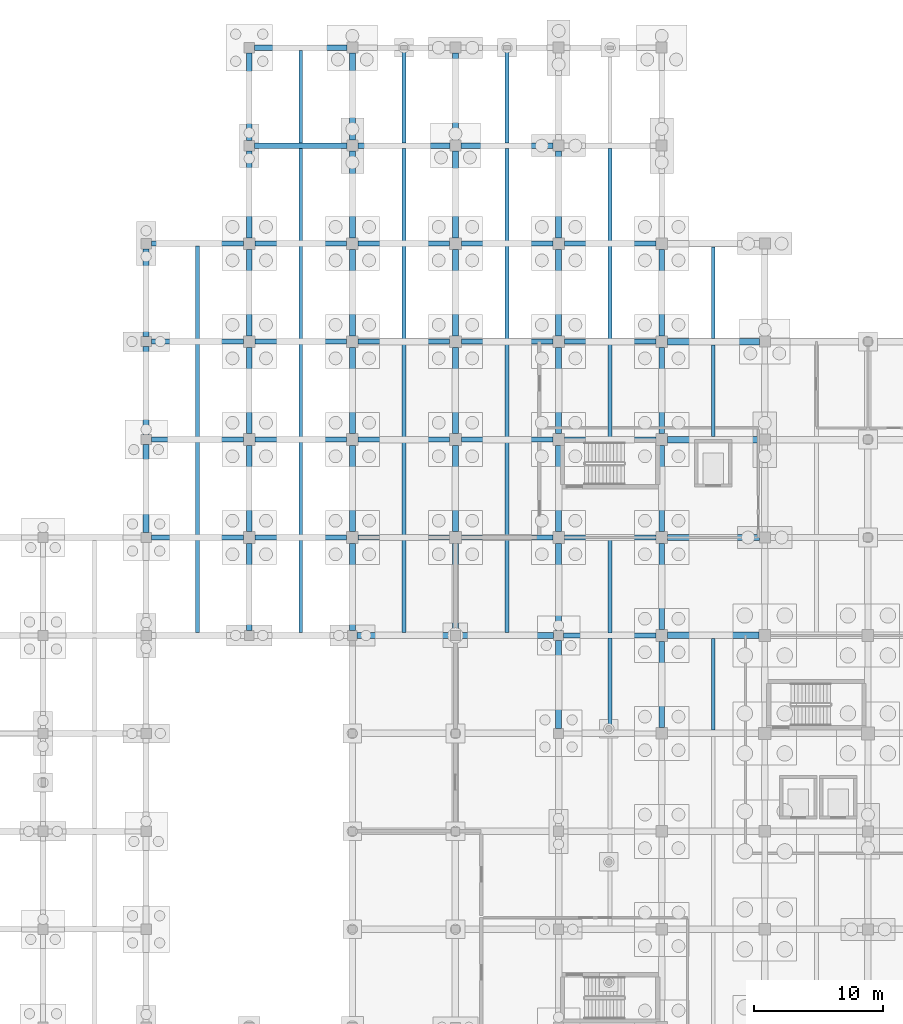
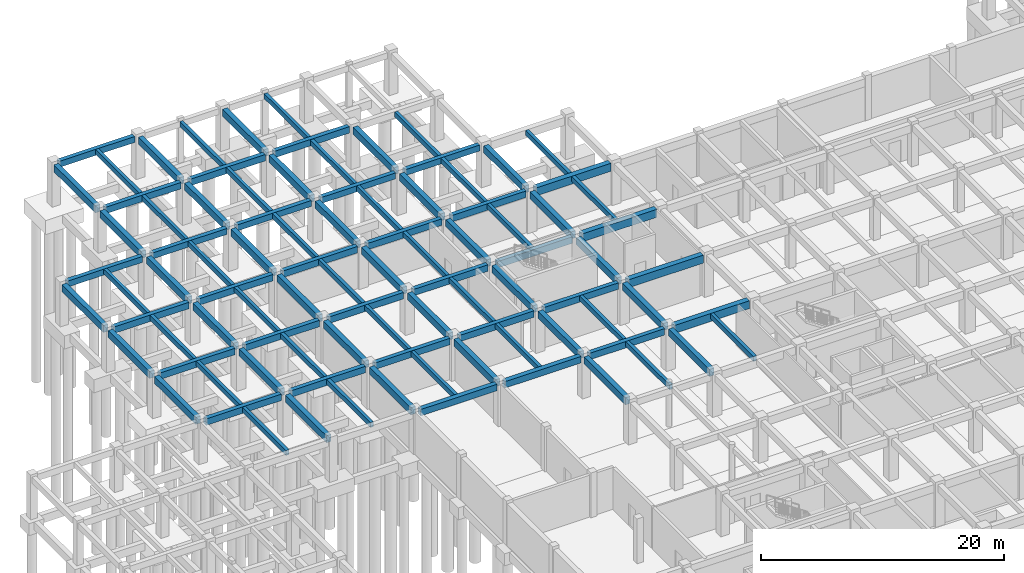
# One storey, part 29 of 49: 93 beams.
"""IFC4 building model written with IfcOpenShell, lengths in metres."""

from ifc_helpers import new_model, si_unit, direction, frame, origin, origin_2d, place, context, subcontext, project, spatial, rectangle, extrude, material, material_profile, profile_set, type_object, element, save


model = new_model("IFC4")

# Units and contexts
model_context = context("Model", 3, precision=1e-05, world=origin(), true_north=direction((0.0, 1.0)))
body_context = subcontext(model_context, "Body", "Model", "MODEL_VIEW")
ifc_project = project(units=[si_unit("LENGTHUNIT", "METRE"), si_unit("AREAUNIT", "SQUARE_METRE"), si_unit("VOLUMEUNIT", "CUBIC_METRE"), si_unit("PLANEANGLEUNIT", "RADIAN"), si_unit("MASSUNIT", "GRAM", prefix="KILO")], contexts=[model_context])

# Site, building, storey
site_placement = place(None, origin())
site = spatial("IfcSite", under=ifc_project, at=site_placement, CompositionType="ELEMENT")
building_placement = place(site_placement, origin())
building = spatial("IfcBuilding", under=site, at=building_placement, Name="Zantavel Square City Hall", CompositionType="ELEMENT")
storey_placement = place(building_placement, frame((0.0, 0.0, -4.5)))
storey = spatial("IfcBuildingStorey", under=building, at=storey_placement, Name="B1", CompositionType="ELEMENT", Elevation=-4.5)

# Beams
ifc_material = material(Name="Concrete C35/45", Category="concrete")
ifc_material_profile_1 = material_profile(ifc_material, rectangle(XDim=0.449951171875, YDim=0.64990234375, at=origin_2d()), Name="RC 450x650")
ifc_profile_set_1 = profile_set([ifc_material_profile_1], Name="Concrete C35/45")
beam_type_1 = type_object("IfcBeamType", Name="Courtyard Cloister Girder RC 450x650 C35/45", PredefinedType="BEAM", material=ifc_profile_set_1)
beam_1_placement = place(storey_placement, frame((32.375, 68.39990234375, 3.85498046875), z_axis=(1.0, 0.0, 0.0), x_axis=(0.0, 1.0, 0.0)))
element("IfcBeam", 1, at=beam_1_placement, inside=storey, type_object=beam_type_1, Name="B1 Girder BMX-B1-0320-0684", PredefinedType="BEAM", context=body_context, shape_type="SweptSolid", body=[
    extrude(rectangle(XDim=0.449951171875, YDim=0.64990234375, at=origin_2d()), origin(), (0.0, 0.0, 1.0), 7.25),
])
beam_2_placement = place(storey_placement, frame((40.375, 68.39990234375, 3.85498046875), z_axis=(1.0, 0.0, 0.0), x_axis=(0.0, 1.0, 0.0)))
element("IfcBeam", 2, at=beam_2_placement, inside=storey, type_object=beam_type_1, Name="B1 Girder BMX-B1-0400-0684", PredefinedType="BEAM", context=body_context, shape_type="SweptSolid", body=[
    extrude(rectangle(XDim=0.449951171875, YDim=0.64990234375, at=origin_2d()), origin(), (0.0, 0.0, 1.0), 7.22509765625),
])
ifc_material_profile_2 = material_profile(ifc_material, rectangle(XDim=0.300048828125, YDim=0.5, at=origin_2d()), Name="RC 300x500")
ifc_profile_set_2 = profile_set([ifc_material_profile_2], Name="Concrete C35/45")
beam_type_2 = type_object("IfcBeamType", Name="Floor Joist RC 300x500 C35/45", PredefinedType="JOIST", material=ifc_profile_set_2)
beam_3_placement = place(storey_placement, frame((20.0, 68.625, 3.929931640625), z_axis=(0.0, 1.0, 0.0), x_axis=(-1.0, 0.0, 0.0)))
element("IfcBeam", 3, at=beam_3_placement, inside=storey, type_object=beam_type_2, Name="B1 Floor Joist JST-B1-0200-0684", PredefinedType="JOIST", context=body_context, shape_type="SweptSolid", body=[
    extrude(rectangle(XDim=0.300048828125, YDim=0.5, at=origin_2d()), origin(), (0.0, 0.0, 1.0), 7.175048828125),
])
for number, where, z_axis, x_axis, name in (
    (4, (20.0, 76.199951171875, 3.949951171875), (0.0, 1.0, 0.0), (-1.0, 0.0, 0.0), "B1 Floor Joist JST-B1-0200-0760"),
    (5, (20.0, 83.800048828125, 3.949951171875), (0.0, 1.0, 0.0), (-1.0, 0.0, 0.0), "B1 Floor Joist JST-B1-0200-0836"),
):
    element("IfcBeam", number, at=place(storey_placement, frame(where, z_axis=z_axis, x_axis=x_axis)), inside=storey, type_object=beam_type_2, Name=name, PredefinedType="JOIST", context=body_context, shape_type="SweptSolid", body=[
        extrude(rectangle(XDim=0.300048828125, YDim=0.5, at=origin_2d()), origin(), (0.0, 0.0, 1.0), 7.199951171875),
    ])
beam_4_placement = place(storey_placement, frame((20.0, 91.39990234375, 3.949951171875), z_axis=(0.0, 1.0, 0.0), x_axis=(-1.0, 0.0, 0.0)))
element("IfcBeam", 6, at=beam_4_placement, inside=storey, type_object=beam_type_2, Name="B1 Floor Joist JST-B1-0200-0912", PredefinedType="JOIST", context=body_context, shape_type="SweptSolid", body=[
    extrude(rectangle(XDim=0.300048828125, YDim=0.5, at=origin_2d()), origin(), (0.0, 0.0, 1.0), 7.2001953125),
])
beam_5_placement = place(storey_placement, frame((28.0, 68.625, 3.929931640625), z_axis=(0.0, 1.0, 0.0), x_axis=(-1.0, 0.0, 0.0)))
element("IfcBeam", 7, at=beam_5_placement, inside=storey, type_object=beam_type_2, Name="B1 Floor Joist JST-B1-0280-0684", PredefinedType="JOIST", context=body_context, shape_type="SweptSolid", body=[
    extrude(rectangle(XDim=0.300048828125, YDim=0.5, at=origin_2d()), origin(), (0.0, 0.0, 1.0), 7.175048828125),
])
for number, where, z_axis, x_axis, name in (
    (8, (28.0, 76.199951171875, 3.949951171875), (0.0, 1.0, 0.0), (-1.0, 0.0, 0.0), "B1 Floor Joist JST-B1-0280-0760"),
    (9, (28.0, 83.800048828125, 3.949951171875), (0.0, 1.0, 0.0), (-1.0, 0.0, 0.0), "B1 Floor Joist JST-B1-0280-0836"),
):
    element("IfcBeam", number, at=place(storey_placement, frame(where, z_axis=z_axis, x_axis=x_axis)), inside=storey, type_object=beam_type_2, Name=name, PredefinedType="JOIST", context=body_context, shape_type="SweptSolid", body=[
        extrude(rectangle(XDim=0.300048828125, YDim=0.5, at=origin_2d()), origin(), (0.0, 0.0, 1.0), 7.199951171875),
    ])
beam_6_placement = place(storey_placement, frame((28.0, 91.39990234375, 3.949951171875), z_axis=(0.0, 1.0, 0.0), x_axis=(-1.0, 0.0, 0.0)))
element("IfcBeam", 10, at=beam_6_placement, inside=storey, type_object=beam_type_2, Name="B1 Floor Joist JST-B1-0280-0912", PredefinedType="JOIST", context=body_context, shape_type="SweptSolid", body=[
    extrude(rectangle(XDim=0.300048828125, YDim=0.5, at=origin_2d()), origin(), (0.0, 0.0, 1.0), 7.2001953125),
])
for number, where, z_axis, x_axis, name in (
    (11, (28.0, 99.0, 3.949951171875), (0.0, 1.0, 0.0), (-1.0, 0.0, 0.0), "B1 Floor Joist JST-B1-0280-0988"),
    (12, (28.0, 106.60009765625, 3.949951171875), (0.0, 1.0, 0.0), (-1.0, 0.0, 0.0), "B1 Floor Joist JST-B1-0280-1064"),
):
    element("IfcBeam", number, at=place(storey_placement, frame(where, z_axis=z_axis, x_axis=x_axis)), inside=storey, type_object=beam_type_2, Name=name, PredefinedType="JOIST", context=body_context, shape_type="SweptSolid", body=[
        extrude(rectangle(XDim=0.300048828125, YDim=0.5, at=origin_2d()), origin(), (0.0, 0.0, 1.0), 7.199951171875),
    ])
beam_7_placement = place(storey_placement, frame((36.0, 68.625, 3.929931640625), z_axis=(0.0, 1.0, 0.0), x_axis=(-1.0, 0.0, 0.0)))
element("IfcBeam", 13, at=beam_7_placement, inside=storey, type_object=beam_type_2, Name="B1 Floor Joist JST-B1-0360-0684", PredefinedType="JOIST", context=body_context, shape_type="SweptSolid", body=[
    extrude(rectangle(XDim=0.300048828125, YDim=0.5, at=origin_2d()), origin(), (0.0, 0.0, 1.0), 7.175048828125),
])
for number, where, z_axis, x_axis, name in (
    (14, (36.0, 76.199951171875, 3.949951171875), (0.0, 1.0, 0.0), (-1.0, 0.0, 0.0), "B1 Floor Joist JST-B1-0360-0760"),
    (15, (36.0, 83.800048828125, 3.949951171875), (0.0, 1.0, 0.0), (-1.0, 0.0, 0.0), "B1 Floor Joist JST-B1-0360-0836"),
):
    element("IfcBeam", number, at=place(storey_placement, frame(where, z_axis=z_axis, x_axis=x_axis)), inside=storey, type_object=beam_type_2, Name=name, PredefinedType="JOIST", context=body_context, shape_type="SweptSolid", body=[
        extrude(rectangle(XDim=0.300048828125, YDim=0.5, at=origin_2d()), origin(), (0.0, 0.0, 1.0), 7.199951171875),
    ])
beam_8_placement = place(storey_placement, frame((36.0, 91.39990234375, 3.949951171875), z_axis=(0.0, 1.0, 0.0), x_axis=(-1.0, 0.0, 0.0)))
element("IfcBeam", 16, at=beam_8_placement, inside=storey, type_object=beam_type_2, Name="B1 Floor Joist JST-B1-0360-0912", PredefinedType="JOIST", context=body_context, shape_type="SweptSolid", body=[
    extrude(rectangle(XDim=0.300048828125, YDim=0.5, at=origin_2d()), origin(), (0.0, 0.0, 1.0), 7.2001953125),
])
for number, where, z_axis, x_axis, name in (
    (17, (36.0, 99.0, 3.949951171875), (0.0, 1.0, 0.0), (-1.0, 0.0, 0.0), "B1 Floor Joist JST-B1-0360-0988"),
    (18, (36.0, 106.60009765625, 3.949951171875), (0.0, 1.0, 0.0), (-1.0, 0.0, 0.0), "B1 Floor Joist JST-B1-0360-1064"),
):
    element("IfcBeam", number, at=place(storey_placement, frame(where, z_axis=z_axis, x_axis=x_axis)), inside=storey, type_object=beam_type_2, Name=name, PredefinedType="JOIST", context=body_context, shape_type="SweptSolid", body=[
        extrude(rectangle(XDim=0.300048828125, YDim=0.5, at=origin_2d()), origin(), (0.0, 0.0, 1.0), 7.199951171875),
    ])
beam_9_placement = place(storey_placement, frame((44.0, 68.625, 3.909912109375), z_axis=(0.0, 1.0, 0.0), x_axis=(-1.0, 0.0, 0.0)))
element("IfcBeam", 19, at=beam_9_placement, inside=storey, type_object=beam_type_2, Name="B1 Floor Joist JST-B1-0440-0684", PredefinedType="JOIST", context=body_context, shape_type="SweptSolid", body=[
    extrude(rectangle(XDim=0.300048828125, YDim=0.5, at=origin_2d()), origin(), (0.0, 0.0, 1.0), 7.175048828125),
])
for number, where, z_axis, x_axis, name in (
    (20, (44.0, 76.199951171875, 3.909912109375), (0.0, 1.0, 0.0), (-1.0, 0.0, 0.0), "B1 Floor Joist JST-B1-0440-0760"),
    (21, (44.0, 83.800048828125, 3.909912109375), (0.0, 1.0, 0.0), (-1.0, 0.0, 0.0), "B1 Floor Joist JST-B1-0440-0836"),
):
    element("IfcBeam", number, at=place(storey_placement, frame(where, z_axis=z_axis, x_axis=x_axis)), inside=storey, type_object=beam_type_2, Name=name, PredefinedType="JOIST", context=body_context, shape_type="SweptSolid", body=[
        extrude(rectangle(XDim=0.300048828125, YDim=0.5, at=origin_2d()), origin(), (0.0, 0.0, 1.0), 7.199951171875),
    ])
beam_10_placement = place(storey_placement, frame((44.0, 91.39990234375, 3.909912109375), z_axis=(0.0, 1.0, 0.0), x_axis=(-1.0, 0.0, 0.0)))
element("IfcBeam", 22, at=beam_10_placement, inside=storey, type_object=beam_type_2, Name="B1 Floor Joist JST-B1-0440-0912", PredefinedType="JOIST", context=body_context, shape_type="SweptSolid", body=[
    extrude(rectangle(XDim=0.300048828125, YDim=0.5, at=origin_2d()), origin(), (0.0, 0.0, 1.0), 7.2001953125),
])
for number, where, z_axis, x_axis, name in (
    (23, (44.0, 99.0, 3.909912109375), (0.0, 1.0, 0.0), (-1.0, 0.0, 0.0), "B1 Floor Joist JST-B1-0440-0988"),
    (24, (44.0, 106.60009765625, 3.949951171875), (0.0, 1.0, 0.0), (-1.0, 0.0, 0.0), "B1 Floor Joist JST-B1-0440-1064"),
    (25, (52.0, 61.0, 3.929931640625), (0.0, 1.0, 0.0), (-1.0, 0.0, 0.0), "B1 Floor Joist JST-B1-0520-0608"),
    (26, (52.0, 68.60009765625, 3.909912109375), (0.0, 1.0, 0.0), (-1.0, 0.0, 0.0), "B1 Floor Joist JST-B1-0520-0684"),
    (27, (52.0, 83.800048828125, 3.909912109375), (0.0, 1.0, 0.0), (-1.0, 0.0, 0.0), "B1 Floor Joist JST-B1-0520-0836"),
):
    element("IfcBeam", number, at=place(storey_placement, frame(where, z_axis=z_axis, x_axis=x_axis)), inside=storey, type_object=beam_type_2, Name=name, PredefinedType="JOIST", context=body_context, shape_type="SweptSolid", body=[
        extrude(rectangle(XDim=0.300048828125, YDim=0.5, at=origin_2d()), origin(), (0.0, 0.0, 1.0), 7.199951171875),
    ])
beam_11_placement = place(storey_placement, frame((52.0, 91.39990234375, 3.909912109375), z_axis=(0.0, 1.0, 0.0), x_axis=(-1.0, 0.0, 0.0)))
element("IfcBeam", 28, at=beam_11_placement, inside=storey, type_object=beam_type_2, Name="B1 Floor Joist JST-B1-0520-0912", PredefinedType="JOIST", context=body_context, shape_type="SweptSolid", body=[
    extrude(rectangle(XDim=0.300048828125, YDim=0.5, at=origin_2d()), origin(), (0.0, 0.0, 1.0), 7.2001953125),
])
beam_12_placement = place(storey_placement, frame((52.0, 99.0, 3.909912109375), z_axis=(0.0, 1.0, 0.0), x_axis=(-1.0, 0.0, 0.0)))
element("IfcBeam", 29, at=beam_12_placement, inside=storey, type_object=beam_type_2, Name="B1 Floor Joist JST-B1-0520-0988", PredefinedType="JOIST", context=body_context, shape_type="SweptSolid", body=[
    extrude(rectangle(XDim=0.300048828125, YDim=0.5, at=origin_2d()), origin(), (0.0, 0.0, 1.0), 7.199951171875),
])
for number, where, z_axis, x_axis, name in (
    (30, (60.0, 61.050048828125, 3.949951171875), (0.0, 1.0, 0.0), (-1.0, 0.0, 0.0), "B1 Floor Joist JST-B1-0600-0608"),
    (31, (60.0, 83.85009765625, 3.909912109375), (0.0, 1.0, 0.0), (-1.0, 0.0, 0.0), "B1 Floor Joist JST-B1-0600-0836"),
):
    element("IfcBeam", number, at=place(storey_placement, frame(where, z_axis=z_axis, x_axis=x_axis)), inside=storey, type_object=beam_type_2, Name=name, PredefinedType="JOIST", context=body_context, shape_type="SweptSolid", body=[
        extrude(rectangle(XDim=0.300048828125, YDim=0.5, at=origin_2d()), origin(), (0.0, 0.0, 1.0), 7.099853515625),
    ])
beam_13_placement = place(storey_placement, frame((60.0, 91.449951171875, 3.909912109375), z_axis=(0.0, 1.0, 0.0), x_axis=(-1.0, 0.0, 0.0)))
element("IfcBeam", 32, at=beam_13_placement, inside=storey, type_object=beam_type_2, Name="B1 Floor Joist JST-B1-0600-0912", PredefinedType="JOIST", context=body_context, shape_type="SweptSolid", body=[
    extrude(rectangle(XDim=0.300048828125, YDim=0.5, at=origin_2d()), origin(), (0.0, 0.0, 1.0), 7.10009765625),
])
ifc_material_profile_3 = material_profile(ifc_material, rectangle(XDim=0.39990234375, YDim=0.64990234375, at=origin_2d()), Name="RC 400x650")
ifc_profile_set_3 = profile_set([ifc_material_profile_3], Name="Concrete C35/45")
beam_type_3 = type_object("IfcBeamType", Name="Frame Beam RC 400x650 C35/45", PredefinedType="BEAM", material=ifc_profile_set_3)
for number, where, z_axis, x_axis, name in (
    (33, (16.39990234375, 76.0, 3.875), (1.0, 0.0, 0.0), (0.0, 1.0, 0.0), "B1 Girder BMX-B1-0160-0760"),
    (34, (16.39990234375, 83.60009765625, 3.875), (1.0, 0.0, 0.0), (0.0, 1.0, 0.0), "B1 Girder BMX-B1-0160-0836"),
    (35, (16.39990234375, 91.199951171875, 3.875), (1.0, 0.0, 0.0), (0.0, 1.0, 0.0), "B1 Girder BMX-B1-0160-0912"),
):
    element("IfcBeam", number, at=place(storey_placement, frame(where, z_axis=z_axis, x_axis=x_axis)), inside=storey, type_object=beam_type_3, Name=name, PredefinedType="BEAM", context=body_context, shape_type="SweptSolid", body=[
        extrude(rectangle(XDim=0.39990234375, YDim=0.64990234375, at=origin_2d()), origin(), (0.0, 0.0, 1.0), 7.150146484375),
    ])
for number, where, z_axis, x_axis, name in (
    (36, (24.449951171875, 76.0, 3.875), (1.0, 0.0, 0.0), (0.0, 1.0, 0.0), "B1 Girder BMX-B1-0240-0760"),
    (37, (24.449951171875, 83.60009765625, 3.875), (1.0, 0.0, 0.0), (0.0, 1.0, 0.0), "B1 Girder BMX-B1-0240-0836"),
    (38, (24.449951171875, 91.199951171875, 3.875), (1.0, 0.0, 0.0), (0.0, 1.0, 0.0), "B1 Girder BMX-B1-0240-0912"),
):
    element("IfcBeam", number, at=place(storey_placement, frame(where, z_axis=z_axis, x_axis=x_axis)), inside=storey, type_object=beam_type_3, Name=name, PredefinedType="BEAM", context=body_context, shape_type="SweptSolid", body=[
        extrude(rectangle(XDim=0.39990234375, YDim=0.64990234375, at=origin_2d()), origin(), (0.0, 0.0, 1.0), 7.10009765625),
    ])
beam_14_placement = place(storey_placement, frame((24.39990234375, 106.39990234375, 3.875), z_axis=(1.0, 0.0, 0.0), x_axis=(0.0, 1.0, 0.0)))
element("IfcBeam", 39, at=beam_14_placement, inside=storey, type_object=beam_type_3, Name="B1 Girder BMX-B1-0240-1064", PredefinedType="BEAM", context=body_context, shape_type="SweptSolid", body=[
    extrude(rectangle(XDim=0.39990234375, YDim=0.64990234375, at=origin_2d()), origin(), (0.0, 0.0, 1.0), 7.175048828125),
])
for number, where, z_axis, x_axis, name in (
    (40, (32.449951171875, 76.0, 3.875), (1.0, 0.0, 0.0), (0.0, 1.0, 0.0), "B1 Girder BMX-B1-0320-0760"),
    (41, (32.449951171875, 83.60009765625, 3.875), (1.0, 0.0, 0.0), (0.0, 1.0, 0.0), "B1 Girder BMX-B1-0320-0836"),
    (42, (32.449951171875, 91.199951171875, 3.875), (1.0, 0.0, 0.0), (0.0, 1.0, 0.0), "B1 Girder BMX-B1-0320-0912"),
):
    element("IfcBeam", number, at=place(storey_placement, frame(where, z_axis=z_axis, x_axis=x_axis)), inside=storey, type_object=beam_type_3, Name=name, PredefinedType="BEAM", context=body_context, shape_type="SweptSolid", body=[
        extrude(rectangle(XDim=0.39990234375, YDim=0.64990234375, at=origin_2d()), origin(), (0.0, 0.0, 1.0), 7.10009765625),
    ])
beam_15_placement = place(storey_placement, frame((32.425048828125, 106.39990234375, 3.875), z_axis=(1.0, 0.0, 0.0), x_axis=(0.0, 1.0, 0.0)))
element("IfcBeam", 43, at=beam_15_placement, inside=storey, type_object=beam_type_3, Name="B1 Girder BMX-B1-0320-1064", PredefinedType="BEAM", context=body_context, shape_type="SweptSolid", body=[
    extrude(rectangle(XDim=0.39990234375, YDim=0.64990234375, at=origin_2d()), origin(), (0.0, 0.0, 1.0), 7.14990234375),
])
for number, where, z_axis, x_axis, name in (
    (44, (40.449951171875, 76.0, 3.8349609375), (1.0, 0.0, 0.0), (0.0, 1.0, 0.0), "B1 Girder BMX-B1-0400-0760"),
    (45, (40.449951171875, 83.60009765625, 3.8349609375), (1.0, 0.0, 0.0), (0.0, 1.0, 0.0), "B1 Girder BMX-B1-0400-0836"),
    (46, (40.449951171875, 91.199951171875, 3.8349609375), (1.0, 0.0, 0.0), (0.0, 1.0, 0.0), "B1 Girder BMX-B1-0400-0912"),
):
    element("IfcBeam", number, at=place(storey_placement, frame(where, z_axis=z_axis, x_axis=x_axis)), inside=storey, type_object=beam_type_3, Name=name, PredefinedType="BEAM", context=body_context, shape_type="SweptSolid", body=[
        extrude(rectangle(XDim=0.39990234375, YDim=0.64990234375, at=origin_2d()), origin(), (0.0, 0.0, 1.0), 7.10009765625),
    ])
beam_16_placement = place(storey_placement, frame((40.425048828125, 106.39990234375, 3.875), z_axis=(1.0, 0.0, 0.0), x_axis=(0.0, 1.0, 0.0)))
element("IfcBeam", 47, at=beam_16_placement, inside=storey, type_object=beam_type_3, Name="B1 Girder BMX-B1-0400-1064", PredefinedType="BEAM", context=body_context, shape_type="SweptSolid", body=[
    extrude(rectangle(XDim=0.39990234375, YDim=0.64990234375, at=origin_2d()), origin(), (0.0, 0.0, 1.0), 7.14990234375),
])
beam_17_placement = place(storey_placement, frame((48.39990234375, 68.39990234375, 3.85498046875), z_axis=(1.0, 0.0, 0.0), x_axis=(0.0, 1.0, 0.0)))
element("IfcBeam", 48, at=beam_17_placement, inside=storey, type_object=beam_type_3, Name="B1 Girder BMX-B1-0480-0684", PredefinedType="BEAM", context=body_context, shape_type="SweptSolid", body=[
    extrude(rectangle(XDim=0.39990234375, YDim=0.64990234375, at=origin_2d()), origin(), (0.0, 0.0, 1.0), 7.150146484375),
])
for number, where, z_axis, x_axis, name in (
    (49, (48.449951171875, 76.0, 3.8349609375), (1.0, 0.0, 0.0), (0.0, 1.0, 0.0), "B1 Girder BMX-B1-0480-0760"),
    (50, (48.449951171875, 83.60009765625, 3.8349609375), (1.0, 0.0, 0.0), (0.0, 1.0, 0.0), "B1 Girder BMX-B1-0480-0836"),
    (51, (48.449951171875, 91.199951171875, 3.8349609375), (1.0, 0.0, 0.0), (0.0, 1.0, 0.0), "B1 Girder BMX-B1-0480-0912"),
):
    element("IfcBeam", number, at=place(storey_placement, frame(where, z_axis=z_axis, x_axis=x_axis)), inside=storey, type_object=beam_type_3, Name=name, PredefinedType="BEAM", context=body_context, shape_type="SweptSolid", body=[
        extrude(rectangle(XDim=0.39990234375, YDim=0.64990234375, at=origin_2d()), origin(), (0.0, 0.0, 1.0), 7.10009765625),
    ])
ifc_material_profile_4 = material_profile(ifc_material, rectangle(XDim=0.39990234375, YDim=0.60009765625, at=origin_2d()), Name="RC 400x600")
ifc_profile_set_4 = profile_set([ifc_material_profile_4], Name="Concrete C35/45")
beam_type_4 = type_object("IfcBeamType", Name="Perimeter Spandrel RC 400x600 C35/45", PredefinedType="SPANDREL", material=ifc_profile_set_4)
beam_18_placement = place(storey_placement, frame((16.39990234375, 98.800048828125, 3.89990234375), z_axis=(1.0, 0.0, 0.0), x_axis=(0.0, 1.0, 0.0)))
element("IfcBeam", 52, at=beam_18_placement, inside=storey, type_object=beam_type_4, Name="B1 Girder BMX-B1-0160-0988", PredefinedType="SPANDREL", context=body_context, shape_type="SweptSolid", body=[
    extrude(rectangle(XDim=0.39990234375, YDim=0.60009765625, at=origin_2d()), origin(), (0.0, 0.0, 1.0), 7.150146484375),
])
beam_19_placement = place(storey_placement, frame((24.449951171875, 98.800048828125, 3.89990234375), z_axis=(1.0, 0.0, 0.0), x_axis=(0.0, 1.0, 0.0)))
element("IfcBeam", 53, at=beam_19_placement, inside=storey, type_object=beam_type_4, Name="B1 Girder BMX-B1-0240-0988", PredefinedType="SPANDREL", context=body_context, shape_type="SweptSolid", body=[
    extrude(rectangle(XDim=0.39990234375, YDim=0.60009765625, at=origin_2d()), origin(), (0.0, 0.0, 1.0), 7.10009765625),
])
beam_20_placement = place(storey_placement, frame((24.39990234375, 114.0, 3.89990234375), z_axis=(1.0, 0.0, 0.0), x_axis=(0.0, 1.0, 0.0)))
element("IfcBeam", 54, at=beam_20_placement, inside=storey, type_object=beam_type_4, Name="B1 Girder BMX-B1-0240-1140", PredefinedType="SPANDREL", context=body_context, shape_type="SweptSolid", body=[
    extrude(rectangle(XDim=0.39990234375, YDim=0.60009765625, at=origin_2d()), origin(), (0.0, 0.0, 1.0), 7.175048828125),
])
for number, where, z_axis, x_axis, name in (
    (55, (32.449951171875, 98.800048828125, 3.89990234375), (1.0, 0.0, 0.0), (0.0, 1.0, 0.0), "B1 Girder BMX-B1-0320-0988"),
    (56, (40.449951171875, 98.800048828125, 3.860107421875), (1.0, 0.0, 0.0), (0.0, 1.0, 0.0), "B1 Girder BMX-B1-0400-0988"),
    (57, (48.449951171875, 98.800048828125, 3.860107421875), (1.0, 0.0, 0.0), (0.0, 1.0, 0.0), "B1 Girder BMX-B1-0480-0988"),
):
    element("IfcBeam", number, at=place(storey_placement, frame(where, z_axis=z_axis, x_axis=x_axis)), inside=storey, type_object=beam_type_4, Name=name, PredefinedType="SPANDREL", context=body_context, shape_type="SweptSolid", body=[
        extrude(rectangle(XDim=0.39990234375, YDim=0.60009765625, at=origin_2d()), origin(), (0.0, 0.0, 1.0), 7.10009765625),
    ])
ifc_material_profile_5 = material_profile(ifc_material, rectangle(XDim=0.449951171875, YDim=0.699951171875, at=origin_2d()), Name="RC 450x700")
ifc_profile_set_5 = profile_set([ifc_material_profile_5], Name="Concrete C35/45")
beam_type_5 = type_object("IfcBeamType", Name="Primary Girder RC 450x700 C35/45", PredefinedType="BEAM", material=ifc_profile_set_5)
for number, where, z_axis, x_axis, name in (
    (58, (16.0, 76.39990234375, 3.85009765625), (0.0, 1.0, 0.0), (-1.0, 0.0, 0.0), "B1 Beam BMY-B1-0160-0760"),
    (59, (16.0, 84.0, 3.85009765625), (0.0, 1.0, 0.0), (-1.0, 0.0, 0.0), "B1 Beam BMY-B1-0160-0836"),
):
    element("IfcBeam", number, at=place(storey_placement, frame(where, z_axis=z_axis, x_axis=x_axis)), inside=storey, type_object=beam_type_5, Name=name, PredefinedType="BEAM", context=body_context, shape_type="SweptSolid", body=[
        extrude(rectangle(XDim=0.449951171875, YDim=0.699951171875, at=origin_2d()), origin(), (0.0, 0.0, 1.0), 6.800048828125),
    ])
beam_21_placement = place(storey_placement, frame((16.0, 91.60009765625, 3.85009765625), z_axis=(0.0, 1.0, 0.0), x_axis=(-1.0, 0.0, 0.0)))
element("IfcBeam", 60, at=beam_21_placement, inside=storey, type_object=beam_type_5, Name="B1 Beam BMY-B1-0160-0912", PredefinedType="BEAM", context=body_context, shape_type="SweptSolid", body=[
    extrude(rectangle(XDim=0.449951171875, YDim=0.699951171875, at=origin_2d()), origin(), (0.0, 0.0, 1.0), 6.7998046875),
])
beam_22_placement = place(storey_placement, frame((24.0, 68.77490234375, 3.830078125), z_axis=(0.0, 1.0, 0.0), x_axis=(-1.0, 0.0, 0.0)))
element("IfcBeam", 61, at=beam_22_placement, inside=storey, type_object=beam_type_5, Name="B1 Beam BMY-B1-0240-0684", PredefinedType="BEAM", context=body_context, shape_type="SweptSolid", body=[
    extrude(rectangle(XDim=0.449951171875, YDim=0.699951171875, at=origin_2d()), origin(), (0.0, 0.0, 1.0), 6.775146484375),
])
for number, where, z_axis, x_axis, name in (
    (62, (24.0, 76.449951171875, 3.85009765625), (0.0, 1.0, 0.0), (-1.0, 0.0, 0.0), "B1 Beam BMY-B1-0240-0760"),
    (63, (24.0, 84.050048828125, 3.85009765625), (0.0, 1.0, 0.0), (-1.0, 0.0, 0.0), "B1 Beam BMY-B1-0240-0836"),
):
    element("IfcBeam", number, at=place(storey_placement, frame(where, z_axis=z_axis, x_axis=x_axis)), inside=storey, type_object=beam_type_5, Name=name, PredefinedType="BEAM", context=body_context, shape_type="SweptSolid", body=[
        extrude(rectangle(XDim=0.449951171875, YDim=0.699951171875, at=origin_2d()), origin(), (0.0, 0.0, 1.0), 6.699951171875),
    ])
beam_23_placement = place(storey_placement, frame((24.0, 91.64990234375, 3.85009765625), z_axis=(0.0, 1.0, 0.0), x_axis=(-1.0, 0.0, 0.0)))
element("IfcBeam", 64, at=beam_23_placement, inside=storey, type_object=beam_type_5, Name="B1 Beam BMY-B1-0240-0912", PredefinedType="BEAM", context=body_context, shape_type="SweptSolid", body=[
    extrude(rectangle(XDim=0.449951171875, YDim=0.699951171875, at=origin_2d()), origin(), (0.0, 0.0, 1.0), 6.7001953125),
])
beam_24_placement = place(storey_placement, frame((24.0, 99.25, 3.85009765625), z_axis=(0.0, 1.0, 0.0), x_axis=(-1.0, 0.0, 0.0)))
element("IfcBeam", 65, at=beam_24_placement, inside=storey, type_object=beam_type_5, Name="B1 Beam BMY-B1-0240-0988", PredefinedType="BEAM", context=body_context, shape_type="SweptSolid", body=[
    extrude(rectangle(XDim=0.449951171875, YDim=0.699951171875, at=origin_2d()), origin(), (0.0, 0.0, 1.0), 6.75),
])
beam_25_placement = place(storey_placement, frame((24.0, 106.800048828125, 3.85009765625), z_axis=(0.0, 1.0, 0.0), x_axis=(-1.0, 0.0, 0.0)))
element("IfcBeam", 66, at=beam_25_placement, inside=storey, type_object=beam_type_5, Name="B1 Beam BMY-B1-0240-1064", PredefinedType="BEAM", context=body_context, shape_type="SweptSolid", body=[
    extrude(rectangle(XDim=0.449951171875, YDim=0.699951171875, at=origin_2d()), origin(), (0.0, 0.0, 1.0), 6.800048828125),
])
beam_26_placement = place(storey_placement, frame((32.0, 68.77490234375, 3.830078125), z_axis=(0.0, 1.0, 0.0), x_axis=(-1.0, 0.0, 0.0)))
element("IfcBeam", 67, at=beam_26_placement, inside=storey, type_object=beam_type_5, Name="B1 Beam BMY-B1-0320-0684", PredefinedType="BEAM", context=body_context, shape_type="SweptSolid", body=[
    extrude(rectangle(XDim=0.449951171875, YDim=0.699951171875, at=origin_2d()), origin(), (0.0, 0.0, 1.0), 6.775146484375),
])
for number, where, z_axis, x_axis, name in (
    (68, (32.0, 76.449951171875, 3.85009765625), (0.0, 1.0, 0.0), (-1.0, 0.0, 0.0), "B1 Beam BMY-B1-0320-0760"),
    (69, (32.0, 84.050048828125, 3.85009765625), (0.0, 1.0, 0.0), (-1.0, 0.0, 0.0), "B1 Beam BMY-B1-0320-0836"),
):
    element("IfcBeam", number, at=place(storey_placement, frame(where, z_axis=z_axis, x_axis=x_axis)), inside=storey, type_object=beam_type_5, Name=name, PredefinedType="BEAM", context=body_context, shape_type="SweptSolid", body=[
        extrude(rectangle(XDim=0.449951171875, YDim=0.699951171875, at=origin_2d()), origin(), (0.0, 0.0, 1.0), 6.699951171875),
    ])
beam_27_placement = place(storey_placement, frame((32.0, 91.64990234375, 3.85009765625), z_axis=(0.0, 1.0, 0.0), x_axis=(-1.0, 0.0, 0.0)))
element("IfcBeam", 70, at=beam_27_placement, inside=storey, type_object=beam_type_5, Name="B1 Beam BMY-B1-0320-0912", PredefinedType="BEAM", context=body_context, shape_type="SweptSolid", body=[
    extrude(rectangle(XDim=0.449951171875, YDim=0.699951171875, at=origin_2d()), origin(), (0.0, 0.0, 1.0), 6.7001953125),
])
beam_28_placement = place(storey_placement, frame((32.0, 99.25, 3.85009765625), z_axis=(0.0, 1.0, 0.0), x_axis=(-1.0, 0.0, 0.0)))
element("IfcBeam", 71, at=beam_28_placement, inside=storey, type_object=beam_type_5, Name="B1 Beam BMY-B1-0320-0988", PredefinedType="BEAM", context=body_context, shape_type="SweptSolid", body=[
    extrude(rectangle(XDim=0.449951171875, YDim=0.699951171875, at=origin_2d()), origin(), (0.0, 0.0, 1.0), 6.72509765625),
])
beam_29_placement = place(storey_placement, frame((32.0, 106.824951171875, 3.85009765625), z_axis=(0.0, 1.0, 0.0), x_axis=(-1.0, 0.0, 0.0)))
element("IfcBeam", 72, at=beam_29_placement, inside=storey, type_object=beam_type_5, Name="B1 Beam BMY-B1-0320-1064", PredefinedType="BEAM", context=body_context, shape_type="SweptSolid", body=[
    extrude(rectangle(XDim=0.449951171875, YDim=0.699951171875, at=origin_2d()), origin(), (0.0, 0.0, 1.0), 6.75),
])
beam_30_placement = place(storey_placement, frame((40.0, 68.77490234375, 3.830078125), z_axis=(0.0, 1.0, 0.0), x_axis=(-1.0, 0.0, 0.0)))
element("IfcBeam", 73, at=beam_30_placement, inside=storey, type_object=beam_type_5, Name="B1 Beam BMY-B1-0400-0684", PredefinedType="BEAM", context=body_context, shape_type="SweptSolid", body=[
    extrude(rectangle(XDim=0.449951171875, YDim=0.699951171875, at=origin_2d()), origin(), (0.0, 0.0, 1.0), 6.775146484375),
])
for number, where, z_axis, x_axis, name in (
    (74, (40.0, 76.449951171875, 3.85009765625), (0.0, 1.0, 0.0), (-1.0, 0.0, 0.0), "B1 Beam BMY-B1-0400-0760"),
    (75, (40.0, 84.050048828125, 3.85009765625), (0.0, 1.0, 0.0), (-1.0, 0.0, 0.0), "B1 Beam BMY-B1-0400-0836"),
):
    element("IfcBeam", number, at=place(storey_placement, frame(where, z_axis=z_axis, x_axis=x_axis)), inside=storey, type_object=beam_type_5, Name=name, PredefinedType="BEAM", context=body_context, shape_type="SweptSolid", body=[
        extrude(rectangle(XDim=0.449951171875, YDim=0.699951171875, at=origin_2d()), origin(), (0.0, 0.0, 1.0), 6.699951171875),
    ])
beam_31_placement = place(storey_placement, frame((40.0, 91.64990234375, 3.85009765625), z_axis=(0.0, 1.0, 0.0), x_axis=(-1.0, 0.0, 0.0)))
element("IfcBeam", 76, at=beam_31_placement, inside=storey, type_object=beam_type_5, Name="B1 Beam BMY-B1-0400-0912", PredefinedType="BEAM", context=body_context, shape_type="SweptSolid", body=[
    extrude(rectangle(XDim=0.449951171875, YDim=0.699951171875, at=origin_2d()), origin(), (0.0, 0.0, 1.0), 6.7001953125),
])
beam_32_placement = place(storey_placement, frame((40.0, 99.25, 3.85009765625), z_axis=(0.0, 1.0, 0.0), x_axis=(-1.0, 0.0, 0.0)))
element("IfcBeam", 77, at=beam_32_placement, inside=storey, type_object=beam_type_5, Name="B1 Beam BMY-B1-0400-0988", PredefinedType="BEAM", context=body_context, shape_type="SweptSolid", body=[
    extrude(rectangle(XDim=0.449951171875, YDim=0.699951171875, at=origin_2d()), origin(), (0.0, 0.0, 1.0), 6.72509765625),
])
beam_33_placement = place(storey_placement, frame((40.0, 106.824951171875, 3.85009765625), z_axis=(0.0, 1.0, 0.0), x_axis=(-1.0, 0.0, 0.0)))
element("IfcBeam", 78, at=beam_33_placement, inside=storey, type_object=beam_type_5, Name="B1 Beam BMY-B1-0400-1064", PredefinedType="BEAM", context=body_context, shape_type="SweptSolid", body=[
    extrude(rectangle(XDim=0.449951171875, YDim=0.699951171875, at=origin_2d()), origin(), (0.0, 0.0, 1.0), 6.75),
])
beam_34_placement = place(storey_placement, frame((48.0, 61.199951171875, 3.830078125), z_axis=(0.0, 1.0, 0.0), x_axis=(-1.0, 0.0, 0.0)))
element("IfcBeam", 79, at=beam_34_placement, inside=storey, type_object=beam_type_5, Name="B1 Beam BMY-B1-0480-0608", PredefinedType="BEAM", context=body_context, shape_type="SweptSolid", body=[
    extrude(rectangle(XDim=0.449951171875, YDim=0.699951171875, at=origin_2d()), origin(), (0.0, 0.0, 1.0), 6.800048828125),
])
beam_35_placement = place(storey_placement, frame((48.0, 68.800048828125, 3.830078125), z_axis=(0.0, 1.0, 0.0), x_axis=(-1.0, 0.0, 0.0)))
element("IfcBeam", 80, at=beam_35_placement, inside=storey, type_object=beam_type_5, Name="B1 Beam BMY-B1-0480-0684", PredefinedType="BEAM", context=body_context, shape_type="SweptSolid", body=[
    extrude(rectangle(XDim=0.449951171875, YDim=0.699951171875, at=origin_2d()), origin(), (0.0, 0.0, 1.0), 6.75),
])
for number, where, z_axis, x_axis, name in (
    (81, (48.0, 76.449951171875, 3.81005859375), (0.0, 1.0, 0.0), (-1.0, 0.0, 0.0), "B1 Beam BMY-B1-0480-0760"),
    (82, (48.0, 84.050048828125, 3.81005859375), (0.0, 1.0, 0.0), (-1.0, 0.0, 0.0), "B1 Beam BMY-B1-0480-0836"),
):
    element("IfcBeam", number, at=place(storey_placement, frame(where, z_axis=z_axis, x_axis=x_axis)), inside=storey, type_object=beam_type_5, Name=name, PredefinedType="BEAM", context=body_context, shape_type="SweptSolid", body=[
        extrude(rectangle(XDim=0.449951171875, YDim=0.699951171875, at=origin_2d()), origin(), (0.0, 0.0, 1.0), 6.699951171875),
    ])
beam_36_placement = place(storey_placement, frame((48.0, 91.64990234375, 3.81005859375), z_axis=(0.0, 1.0, 0.0), x_axis=(-1.0, 0.0, 0.0)))
element("IfcBeam", 83, at=beam_36_placement, inside=storey, type_object=beam_type_5, Name="B1 Beam BMY-B1-0480-0912", PredefinedType="BEAM", context=body_context, shape_type="SweptSolid", body=[
    extrude(rectangle(XDim=0.449951171875, YDim=0.699951171875, at=origin_2d()), origin(), (0.0, 0.0, 1.0), 6.7001953125),
])
beam_37_placement = place(storey_placement, frame((48.0, 99.25, 3.85009765625), z_axis=(0.0, 1.0, 0.0), x_axis=(-1.0, 0.0, 0.0)))
element("IfcBeam", 84, at=beam_37_placement, inside=storey, type_object=beam_type_5, Name="B1 Beam BMY-B1-0480-0988", PredefinedType="BEAM", context=body_context, shape_type="SweptSolid", body=[
    extrude(rectangle(XDim=0.449951171875, YDim=0.699951171875, at=origin_2d()), origin(), (0.0, 0.0, 1.0), 6.72509765625),
])
for number, where, z_axis, x_axis, name in (
    (85, (56.0, 61.25, 3.85009765625), (0.0, 1.0, 0.0), (-1.0, 0.0, 0.0), "B1 Beam BMY-B1-0560-0608"),
    (86, (56.0, 68.85009765625, 3.85009765625), (0.0, 1.0, 0.0), (-1.0, 0.0, 0.0), "B1 Beam BMY-B1-0560-0684"),
    (87, (56.0, 76.449951171875, 3.81005859375), (0.0, 1.0, 0.0), (-1.0, 0.0, 0.0), "B1 Beam BMY-B1-0560-0760"),
    (88, (56.0, 84.050048828125, 3.81005859375), (0.0, 1.0, 0.0), (-1.0, 0.0, 0.0), "B1 Beam BMY-B1-0560-0836"),
):
    element("IfcBeam", number, at=place(storey_placement, frame(where, z_axis=z_axis, x_axis=x_axis)), inside=storey, type_object=beam_type_5, Name=name, PredefinedType="BEAM", context=body_context, shape_type="SweptSolid", body=[
        extrude(rectangle(XDim=0.449951171875, YDim=0.699951171875, at=origin_2d()), origin(), (0.0, 0.0, 1.0), 6.699951171875),
    ])
beam_38_placement = place(storey_placement, frame((56.0, 91.64990234375, 3.81005859375), z_axis=(0.0, 1.0, 0.0), x_axis=(-1.0, 0.0, 0.0)))
element("IfcBeam", 89, at=beam_38_placement, inside=storey, type_object=beam_type_5, Name="B1 Beam BMY-B1-0560-0912", PredefinedType="BEAM", context=body_context, shape_type="SweptSolid", body=[
    extrude(rectangle(XDim=0.449951171875, YDim=0.699951171875, at=origin_2d()), origin(), (0.0, 0.0, 1.0), 6.7001953125),
])
ifc_material_profile_6 = material_profile(ifc_material, rectangle(XDim=0.5, YDim=0.800048828125, at=origin_2d()), Name="RC 500x800")
ifc_profile_set_6 = profile_set([ifc_material_profile_6], Name="Concrete C35/45")
beam_type_6 = type_object("IfcBeamType", Name="Primary Girder RC 500x800 C35/45", PredefinedType="BEAM", material=ifc_profile_set_6)
beam_39_placement = place(storey_placement, frame((56.449951171875, 68.39990234375, 3.800048828125), z_axis=(1.0, 0.0, 0.0), x_axis=(0.0, 1.0, 0.0)))
element("IfcBeam", 90, at=beam_39_placement, inside=storey, type_object=beam_type_6, Name="B1 Girder BMX-B1-0560-0684", PredefinedType="BEAM", context=body_context, shape_type="SweptSolid", body=[
    extrude(rectangle(XDim=0.5, YDim=0.800048828125, at=origin_2d()), origin(), (0.0, 0.0, 1.0), 7.10009765625),
])
for number, where, z_axis, x_axis, name in (
    (91, (56.449951171875, 76.0, 3.760009765625), (1.0, 0.0, 0.0), (0.0, 1.0, 0.0), "B1 Girder BMX-B1-0560-0760"),
    (92, (56.449951171875, 83.60009765625, 3.760009765625), (1.0, 0.0, 0.0), (0.0, 1.0, 0.0), "B1 Girder BMX-B1-0560-0836"),
    (93, (56.449951171875, 91.199951171875, 3.760009765625), (1.0, 0.0, 0.0), (0.0, 1.0, 0.0), "B1 Girder BMX-B1-0560-0912"),
):
    element("IfcBeam", number, at=place(storey_placement, frame(where, z_axis=z_axis, x_axis=x_axis)), inside=storey, type_object=beam_type_6, Name=name, PredefinedType="BEAM", context=body_context, shape_type="SweptSolid", body=[
        extrude(rectangle(XDim=0.5, YDim=0.800048828125, at=origin_2d()), origin(), (0.0, 0.0, 1.0), 7.125),
    ])

save(model, "model.ifc")
